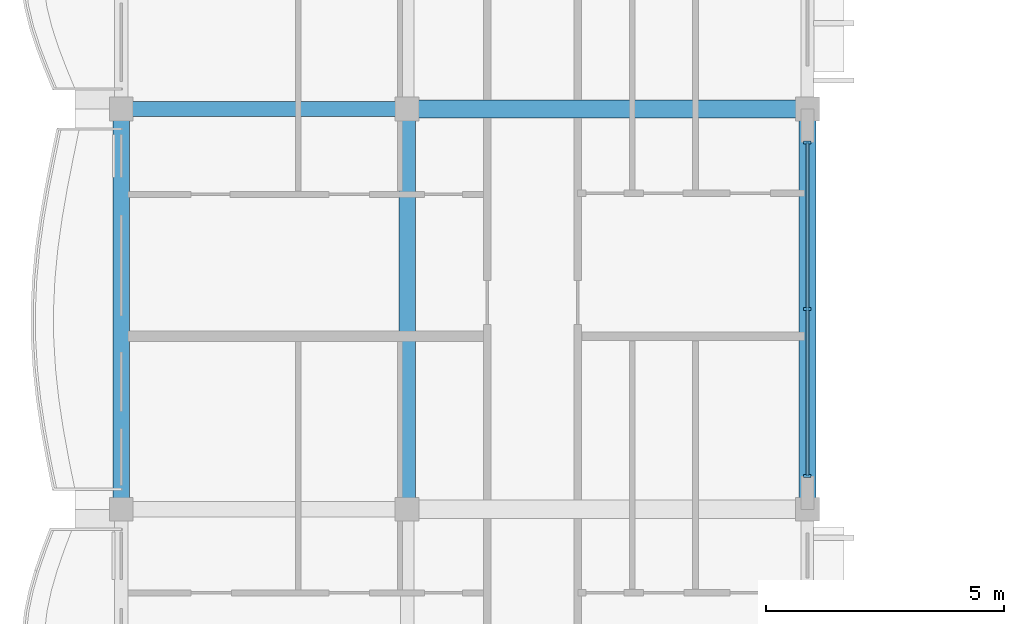
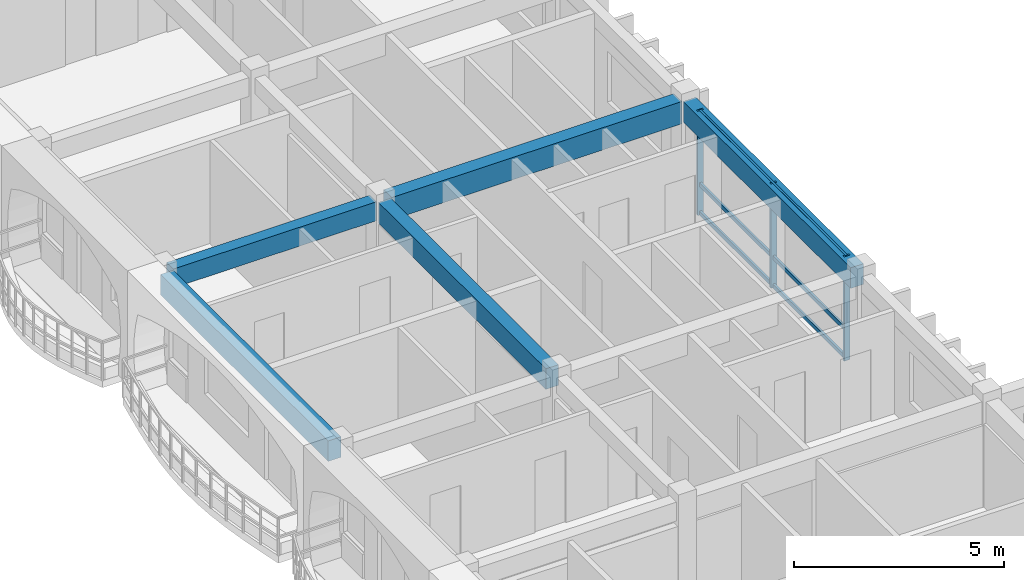
# One storey, part 5 of 68: 6 members, 5 beams, 1 element without a shape of its own.
"""IFC4 building model written with IfcOpenShell, lengths in metres."""

from ifc_helpers import new_model, si_unit, direction, frame, origin, origin_2d, place, context, subcontext, project, spatial, rectangle, extrude, material, material_profile, profile_set, type_object, element, aggregate, save


model = new_model("IFC4")

# Units and contexts
model_context = context("Model", 3, precision=1e-05, world=origin(), true_north=direction((0.0, 1.0)))
body_context = subcontext(model_context, "Body", "Model", "MODEL_VIEW")
ifc_project = project(units=[si_unit("LENGTHUNIT", "METRE"), si_unit("AREAUNIT", "SQUARE_METRE"), si_unit("VOLUMEUNIT", "CUBIC_METRE"), si_unit("PLANEANGLEUNIT", "RADIAN"), si_unit("MASSUNIT", "GRAM", prefix="KILO"), si_unit("THERMODYNAMICTEMPERATUREUNIT", "KELVIN")], contexts=[model_context])

# Site, building, storey
site_placement = place(None, origin())
site = spatial("IfcSite", under=ifc_project, at=site_placement, CompositionType="ELEMENT")
building_placement = place(site_placement, origin())
building = spatial("IfcBuilding", under=site, at=building_placement, Name="Thalorik Housing Commons", CompositionType="ELEMENT")
storey_placement = place(building_placement, frame((0.0, 0.0, 24.60009765625)))
storey = spatial("IfcBuildingStorey", under=building, at=storey_placement, Name="L07", CompositionType="ELEMENT", Elevation=24.60009765625)

# Curtain wall, members
ifc_material_1 = material(Name="Anodised aluminium and solar-control low-E glass", Category="aluminium")
curtain_wall_type = type_object("IfcCurtainWallType", Name="ARC-CW-LOUNGE", PredefinedType="USERDEFINED", material=ifc_material_1)
curtain_wall_placement = place(storey_placement, origin())
curtain_wall = element("IfcCurtainWall", 1, at=curtain_wall_placement, inside=storey, type_object=curtain_wall_type, Name="L07 Curtain Wall CW-RES-L07-C-155", ObjectType="CURTAIN WALL", PredefinedType="USERDEFINED")
ifc_material_2 = material(Name="Anodised aluminium 6063-T6", Category="aluminium")
ifc_material_profile_1 = material_profile(ifc_material_2, rectangle(XDim=0.06005859375, YDim=0.159912109375, at=origin_2d()), Name="ALU MUL 60x160", Category="aluminium")
ifc_profile_set_1 = profile_set([ifc_material_profile_1], Name="Anodised aluminium 6063-T6")
member_type_1 = type_object("IfcMemberType", Name="ARC-CW-MUL-60x160", PredefinedType="MULLION", material=ifc_profile_set_1)
member_1_placement = place(storey_placement, frame((22.800048828125, 29.5, 0.0), z_axis=(0.0, 0.0, 1.0), x_axis=(0.0, 1.0, 0.0)))
member_1 = element("IfcMember", 2, at=member_1_placement, type_object=member_type_1, Name="CW-RES-L07-C-155 Mullion 1", PredefinedType="MULLION", context=body_context, shape_type="SweptSolid", body=[
    extrude(rectangle(XDim=0.06005859375, YDim=0.159912109375, at=origin_2d()), origin(), (0.0, 0.0, 1.0), 3.039794921875),
])
member_2_placement = place(storey_placement, frame((22.800048828125, 33.0, 0.0), z_axis=(0.0, 0.0, 1.0), x_axis=(0.0, 1.0, 0.0)))
member_2 = element("IfcMember", 3, at=member_2_placement, type_object=member_type_1, Name="CW-RES-L07-C-155 Mullion 2", PredefinedType="MULLION", context=body_context, shape_type="SweptSolid", body=[
    extrude(rectangle(XDim=0.06005859375, YDim=0.159912109375, at=origin_2d()), origin(), (0.0, 0.0, 1.0), 3.039794921875),
])
member_3_placement = place(storey_placement, frame((22.800048828125, 36.5, 0.0), z_axis=(0.0, 0.0, 1.0), x_axis=(0.0, 1.0, 0.0)))
member_3 = element("IfcMember", 4, at=member_3_placement, type_object=member_type_1, Name="CW-RES-L07-C-155 Mullion 3", PredefinedType="MULLION", context=body_context, shape_type="SweptSolid", body=[
    extrude(rectangle(XDim=0.06005859375, YDim=0.159912109375, at=origin_2d()), origin(), (0.0, 0.0, 1.0), 3.039794921875),
])
ifc_material_profile_2 = material_profile(ifc_material_2, rectangle(XDim=0.06005859375, YDim=0.1201171875, at=origin_2d()), Name="ALU TRN 60x120", Category="aluminium")
ifc_profile_set_2 = profile_set([ifc_material_profile_2], Name="Anodised aluminium 6063-T6")
member_type_2 = type_object("IfcMemberType", Name="ARC-CW-TRN-60x120", PredefinedType="USERDEFINED", material=ifc_profile_set_2)
member_4_placement = place(storey_placement, frame((22.800048828125, 29.5, 0.054931640625), z_axis=(0.0, 1.0, 0.0), x_axis=(-1.0, 0.0, 0.0)))
member_4 = element("IfcMember", 5, at=member_4_placement, type_object=member_type_2, Name="CW-RES-L07-C-155 Transom 1", ObjectType="TRANSOM", PredefinedType="USERDEFINED", context=body_context, shape_type="SweptSolid", body=[
    extrude(rectangle(XDim=0.06005859375, YDim=0.1201171875, at=origin_2d()), origin(), (0.0, 0.0, 1.0), 7.0),
])
member_5_placement = place(storey_placement, frame((22.800048828125, 29.5, 0.8798828125), z_axis=(0.0, 1.0, 0.0), x_axis=(-1.0, 0.0, 0.0)))
member_5 = element("IfcMember", 6, at=member_5_placement, type_object=member_type_2, Name="CW-RES-L07-C-155 Transom 2", ObjectType="TRANSOM", PredefinedType="USERDEFINED", context=body_context, shape_type="SweptSolid", body=[
    extrude(rectangle(XDim=0.06005859375, YDim=0.1201171875, at=origin_2d()), origin(), (0.0, 0.0, 1.0), 7.0),
])
member_6_placement = place(storey_placement, frame((22.800048828125, 29.5, 2.98486328125), z_axis=(0.0, 1.0, 0.0), x_axis=(-1.0, 0.0, 0.0)))
member_6 = element("IfcMember", 7, at=member_6_placement, type_object=member_type_2, Name="CW-RES-L07-C-155 Transom 3", ObjectType="TRANSOM", PredefinedType="USERDEFINED", context=body_context, shape_type="SweptSolid", body=[
    extrude(rectangle(XDim=0.06005859375, YDim=0.1201171875, at=origin_2d()), origin(), (0.0, 0.0, 1.0), 7.0),
])
aggregate(curtain_wall, [member_1, member_2, member_3, member_4, member_5, member_6])

# Beams
ifc_material_3 = material(Name="Precast concrete C40/50", Category="concrete")
ifc_material_profile_3 = material_profile(ifc_material_3, rectangle(XDim=0.320068359375, YDim=0.550048828125, at=origin_2d()), Name="PC 320x550", Category="concrete")
ifc_profile_set_3 = profile_set([ifc_material_profile_3], Name="Precast concrete C40/50")
beam_type_1 = type_object("IfcBeamType", Name="STR-BM-PC320x550", PredefinedType="BEAM", material=ifc_profile_set_3)
beam_1_placement = place(storey_placement, frame((8.60009765625, 37.199951171875, 2.764892578125), z_axis=(1.0, 0.0, 0.0), x_axis=(0.0, 1.0, 0.0)))
element("IfcBeam", 8, at=beam_1_placement, inside=storey, type_object=beam_type_1, Name="L07 Beam B-550", PredefinedType="BEAM", context=body_context, shape_type="SweptSolid", body=[
    extrude(rectangle(XDim=0.320068359375, YDim=0.550048828125, at=origin_2d()), origin(), (0.0, 0.0, 1.0), 5.599853515625),
])
ifc_material_profile_4 = material_profile(ifc_material_3, rectangle(XDim=0.35009765625, YDim=0.60009765625, at=origin_2d()), Name="PC 350x600", Category="concrete")
ifc_profile_set_4 = profile_set([ifc_material_profile_4], Name="Precast concrete C40/50")
beam_type_2 = type_object("IfcBeamType", Name="STR-BM-PC350x600", PredefinedType="BEAM", material=ifc_profile_set_4)
for number, where, z_axis, x_axis, name in (
    (9, (8.39990234375, 29.0, 2.739990234375), (0.0, 1.0, 0.0), (-1.0, 0.0, 0.0), "L07 Beam B-600"),
    (10, (14.39990234375, 29.0, 2.739990234375), (0.0, 1.0, 0.0), (-1.0, 0.0, 0.0), "L07 Beam B-600"),
    (11, (22.800048828125, 29.0, 2.739990234375), (0.0, 1.0, 0.0), (-1.0, 0.0, 0.0), "L07 Beam B-600"),
):
    element("IfcBeam", number, at=place(storey_placement, frame(where, z_axis=z_axis, x_axis=x_axis)), inside=storey, type_object=beam_type_2, Name=name, PredefinedType="BEAM", context=body_context, shape_type="SweptSolid", body=[
        extrude(rectangle(XDim=0.35009765625, YDim=0.60009765625, at=origin_2d()), origin(), (0.0, 0.0, 1.0), 8.0),
    ])
ifc_material_profile_5 = material_profile(ifc_material_3, rectangle(XDim=0.3798828125, YDim=0.64990234375, at=origin_2d()), Name="PC 380x650", Category="concrete")
ifc_profile_set_5 = profile_set([ifc_material_profile_5], Name="Precast concrete C40/50")
beam_type_3 = type_object("IfcBeamType", Name="STR-BM-PC380x650", PredefinedType="BEAM", material=ifc_profile_set_5)
beam_2_placement = place(storey_placement, frame((14.60009765625, 37.199951171875, 2.71484375), z_axis=(1.0, 0.0, 0.0), x_axis=(0.0, 1.0, 0.0)))
element("IfcBeam", 12, at=beam_2_placement, inside=storey, type_object=beam_type_3, Name="L07 Beam B-650", PredefinedType="BEAM", context=body_context, shape_type="SweptSolid", body=[
    extrude(rectangle(XDim=0.3798828125, YDim=0.64990234375, at=origin_2d()), origin(), (0.0, 0.0, 1.0), 8.0),
])

save(model, "model.ifc")
